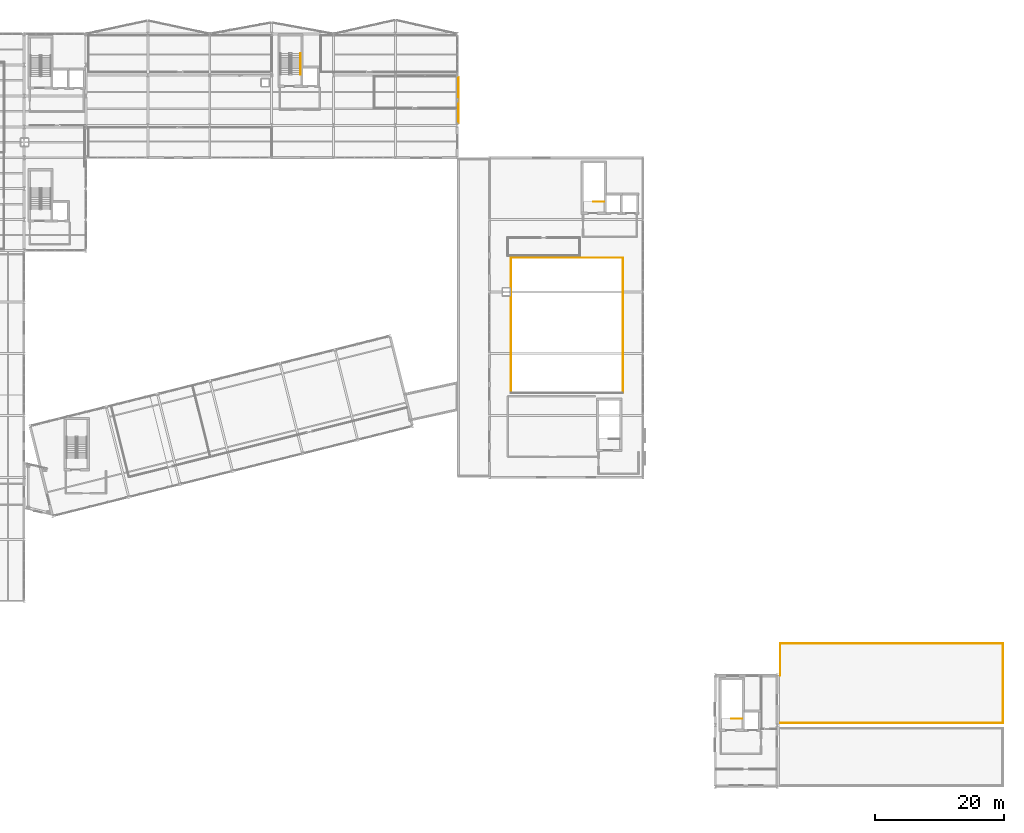
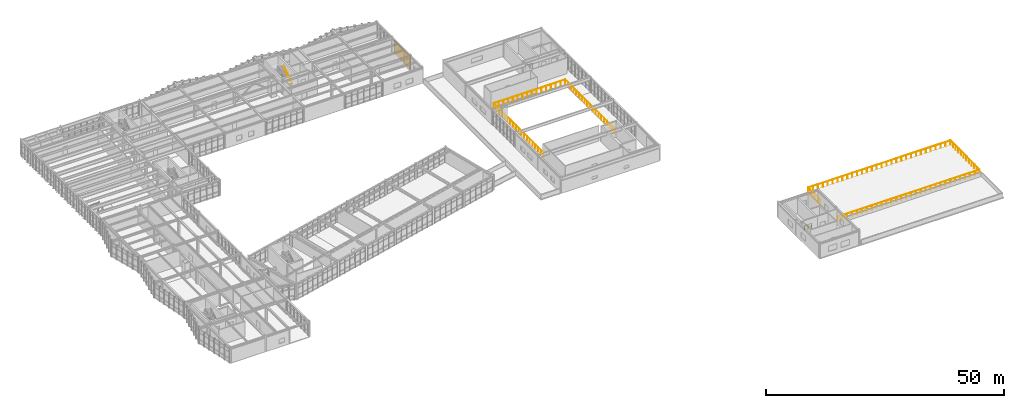
# One storey, part 76 of 76: 10 railings, 1 covering.
"""IFC4 building model written with IfcOpenShell, lengths in metres."""

from ifc_helpers import new_model, si_unit, direction, frame, origin, origin_2d, place, context, subcontext, project, spatial, rectangle, circle, extrude, material, layer, layer_set, type_object, element, save


model = new_model("IFC4")

# Units and contexts
model_context = context("Model", 3, precision=1e-05, world=origin(), true_north=direction((0.0, 1.0)))
body_context = subcontext(model_context, "Body", "Model", "MODEL_VIEW")
ifc_project = project(units=[si_unit("LENGTHUNIT", "METRE"), si_unit("AREAUNIT", "SQUARE_METRE"), si_unit("VOLUMEUNIT", "CUBIC_METRE"), si_unit("PLANEANGLEUNIT", "RADIAN"), si_unit("MASSUNIT", "GRAM", prefix="KILO")], contexts=[model_context])

# Site, building, storey
site_placement = place(None, origin())
site = spatial("IfcSite", under=ifc_project, at=site_placement, CompositionType="ELEMENT")
building_placement = place(site_placement, origin())
building = spatial("IfcBuilding", under=site, at=building_placement, Name="Nordkorset Police Headquarters", CompositionType="ELEMENT")
storey_placement = place(building_placement, frame((0.0, 0.0, 13.64990234375)))
storey = spatial("IfcBuildingStorey", under=building, at=storey_placement, Name="L03", CompositionType="ELEMENT", Elevation=13.64990234375)

# Covering
ifc_material_1 = material(Name="Nordic granite cladding", Category="masonry")
ifc_layer_1 = layer(ifc_material_1, 0.050048828125, Name="Nordic granite cladding")
ifc_layer_set_1 = layer_set([ifc_layer_1], Name="Nordic granite cladding")
covering_type = type_object("IfcCoveringType", Name="Cladding_Nordic_Granite", PredefinedType="CLADDING", material=ifc_layer_set_1)
covering_placement = place(storey_placement, frame((86.60498046875, 106.5, 0.074951171875), z_axis=(0.0, 0.0, 1.0), x_axis=(0.0, 1.0, 0.0)))
element("IfcCovering", 1, at=covering_placement, inside=storey, type_object=covering_type, Name="Nordic Granite Rainscreen Cladding L03 V2E-0B", PredefinedType="CLADDING", context=body_context, shape_type="SweptSolid", body=[
    extrude(rectangle(XDim=7.14599609375, YDim=0.050048828125, at=origin_2d()), origin(), (0.0, 0.0, 1.0), 3.3701171875),
])

# Railings
ifc_material_2 = material(Name="Steel S355J2", Category="steel")
ifc_layer_2 = layer(ifc_material_2, 0.06005859375, Name="Steel S355J2")
ifc_layer_set_2 = layer_set([ifc_layer_2], Name="Steel S355J2")
railing_type_1 = type_object("IfcRailingType", Name="Guardrail_Terrace_1200", PredefinedType="GUARDRAIL", material=ifc_layer_set_2)
railing_1_placement = place(storey_placement, frame((136.5, 9.89990234375, 0.0)))
element("IfcRailing", 2, at=railing_1_placement, inside=storey, type_object=railing_type_1, Name="Terrace Perimeter Guardrail TER-V6-L03-1", PredefinedType="GUARDRAIL", context=body_context, shape_type="SweptSolid", body=[
    extrude(circle(Radius=0.02392578125, at=origin_2d()), frame((0.0, 0.0, 1.17578125), z_axis=(1.0, 0.0, 0.0), x_axis=(0.0, 1.0, 0.0)), (0.0, 0.0, 1.0), 34.550048828125),
    extrude(circle(Radius=0.02099609375, at=origin_2d()), origin(), (0.0, 0.0, 1.0), 1.15185546875),
    extrude(circle(Radius=0.02099609375, at=origin_2d()), frame((1.19140625, 0.0, 0.0)), (0.0, 0.0, 1.0), 1.15185546875),
    extrude(circle(Radius=0.02099609375, at=origin_2d()), frame((2.3828125, 0.0, 0.0)), (0.0, 0.0, 1.0), 1.15185546875),
    extrude(circle(Radius=0.02099609375, at=origin_2d()), frame((3.57421875, 0.0, 0.0)), (0.0, 0.0, 1.0), 1.15185546875),
    extrude(circle(Radius=0.02099609375, at=origin_2d()), frame((4.765625, 0.0, 0.0)), (0.0, 0.0, 1.0), 1.15185546875),
    extrude(circle(Radius=0.02099609375, at=origin_2d()), frame((5.956787109375, 0.0, 0.0)), (0.0, 0.0, 1.0), 1.15185546875),
    extrude(circle(Radius=0.02099609375, at=origin_2d()), frame((7.148193359375, 0.0, 0.0)), (0.0, 0.0, 1.0), 1.15185546875),
    extrude(circle(Radius=0.02099609375, at=origin_2d()), frame((8.339599609375, 0.0, 0.0)), (0.0, 0.0, 1.0), 1.15185546875),
    extrude(circle(Radius=0.02099609375, at=origin_2d()), frame((9.531005859375, 0.0, 0.0)), (0.0, 0.0, 1.0), 1.15185546875),
    extrude(circle(Radius=0.02099609375, at=origin_2d()), frame((10.722412109375, 0.0, 0.0)), (0.0, 0.0, 1.0), 1.15185546875),
    extrude(circle(Radius=0.02099609375, at=origin_2d()), frame((11.913818359375, 0.0, 0.0)), (0.0, 0.0, 1.0), 1.15185546875),
    extrude(circle(Radius=0.02099609375, at=origin_2d()), frame((13.105224609375, 0.0, 0.0)), (0.0, 0.0, 1.0), 1.15185546875),
    extrude(circle(Radius=0.02099609375, at=origin_2d()), frame((14.296630859375, 0.0, 0.0)), (0.0, 0.0, 1.0), 1.15185546875),
    extrude(circle(Radius=0.02099609375, at=origin_2d()), frame((15.488037109375, 0.0, 0.0)), (0.0, 0.0, 1.0), 1.15185546875),
    extrude(circle(Radius=0.02099609375, at=origin_2d()), frame((16.679443359375, 0.0, 0.0)), (0.0, 0.0, 1.0), 1.15185546875),
    extrude(circle(Radius=0.02099609375, at=origin_2d()), frame((17.87060546875, 0.0, 0.0)), (0.0, 0.0, 1.0), 1.15185546875),
    extrude(circle(Radius=0.02099609375, at=origin_2d()), frame((19.06201171875, 0.0, 0.0)), (0.0, 0.0, 1.0), 1.15185546875),
    extrude(circle(Radius=0.02099609375, at=origin_2d()), frame((20.25341796875, 0.0, 0.0)), (0.0, 0.0, 1.0), 1.15185546875),
    extrude(circle(Radius=0.02099609375, at=origin_2d()), frame((21.44482421875, 0.0, 0.0)), (0.0, 0.0, 1.0), 1.15185546875),
    extrude(circle(Radius=0.02099609375, at=origin_2d()), frame((22.63623046875, 0.0, 0.0)), (0.0, 0.0, 1.0), 1.15185546875),
    extrude(circle(Radius=0.02099609375, at=origin_2d()), frame((23.82763671875, 0.0, 0.0)), (0.0, 0.0, 1.0), 1.15185546875),
    extrude(circle(Radius=0.02099609375, at=origin_2d()), frame((25.01904296875, 0.0, 0.0)), (0.0, 0.0, 1.0), 1.15185546875),
    extrude(circle(Radius=0.02099609375, at=origin_2d()), frame((26.21044921875, 0.0, 0.0)), (0.0, 0.0, 1.0), 1.15185546875),
    extrude(circle(Radius=0.02099609375, at=origin_2d()), frame((27.40185546875, 0.0, 0.0)), (0.0, 0.0, 1.0), 1.15185546875),
    extrude(circle(Radius=0.02099609375, at=origin_2d()), frame((28.59326171875, 0.0, 0.0)), (0.0, 0.0, 1.0), 1.15185546875),
    extrude(circle(Radius=0.02099609375, at=origin_2d()), frame((29.784423828125, 0.0, 0.0)), (0.0, 0.0, 1.0), 1.15185546875),
    extrude(circle(Radius=0.02099609375, at=origin_2d()), frame((30.975830078125, 0.0, 0.0)), (0.0, 0.0, 1.0), 1.15185546875),
    extrude(circle(Radius=0.02099609375, at=origin_2d()), frame((32.167236328125, 0.0, 0.0)), (0.0, 0.0, 1.0), 1.15185546875),
    extrude(circle(Radius=0.02099609375, at=origin_2d()), frame((33.358642578125, 0.0, 0.0)), (0.0, 0.0, 1.0), 1.15185546875),
    extrude(circle(Radius=0.02099609375, at=origin_2d()), frame((34.550048828125, 0.0, 0.0)), (0.0, 0.0, 1.0), 1.15185546875),
])
railing_2_placement = place(storey_placement, frame((171.050048828125, 9.89990234375, 0.0)))
element("IfcRailing", 3, at=railing_2_placement, inside=storey, type_object=railing_type_1, Name="Terrace Perimeter Guardrail TER-V6-L03-2", PredefinedType="GUARDRAIL", context=body_context, shape_type="SweptSolid", body=[
    extrude(circle(Radius=0.02392578125, at=origin_2d()), frame((0.0, 0.0, 1.17578125), z_axis=(0.0, 1.0, 0.0), x_axis=(-1.0, 0.0, 0.0)), (0.0, 0.0, 1.0), 12.35009765625),
    extrude(circle(Radius=0.02099609375, at=origin_2d()), origin(), (0.0, 0.0, 1.0), 1.15185546875),
    extrude(circle(Radius=0.02099609375, at=origin_2d()), frame((0.0, 1.122802734375, 0.0)), (0.0, 0.0, 1.0), 1.15185546875),
    extrude(circle(Radius=0.02099609375, at=origin_2d()), frame((0.0, 2.245361328125, 0.0)), (0.0, 0.0, 1.0), 1.15185546875),
    extrude(circle(Radius=0.02099609375, at=origin_2d()), frame((0.0, 3.3681640625, 0.0)), (0.0, 0.0, 1.0), 1.15185546875),
    extrude(circle(Radius=0.02099609375, at=origin_2d()), frame((0.0, 4.490966796875, 0.0)), (0.0, 0.0, 1.0), 1.15185546875),
    extrude(circle(Radius=0.02099609375, at=origin_2d()), frame((0.0, 5.61376953125, 0.0)), (0.0, 0.0, 1.0), 1.15185546875),
    extrude(circle(Radius=0.02099609375, at=origin_2d()), frame((0.0, 6.736328125, 0.0)), (0.0, 0.0, 1.0), 1.15185546875),
    extrude(circle(Radius=0.02099609375, at=origin_2d()), frame((0.0, 7.859130859375, 0.0)), (0.0, 0.0, 1.0), 1.15185546875),
    extrude(circle(Radius=0.02099609375, at=origin_2d()), frame((0.0, 8.98193359375, 0.0)), (0.0, 0.0, 1.0), 1.15185546875),
    extrude(circle(Radius=0.02099609375, at=origin_2d()), frame((0.0, 10.104736328125, 0.0)), (0.0, 0.0, 1.0), 1.15185546875),
    extrude(circle(Radius=0.02099609375, at=origin_2d()), frame((0.0, 11.227294921875, 0.0)), (0.0, 0.0, 1.0), 1.15185546875),
    extrude(circle(Radius=0.02099609375, at=origin_2d()), frame((0.0, 12.35009765625, 0.0)), (0.0, 0.0, 1.0), 1.15185546875),
])
railing_3_placement = place(storey_placement, frame((171.050048828125, 22.25, 0.0)))
element("IfcRailing", 4, at=railing_3_placement, inside=storey, type_object=railing_type_1, Name="Terrace Perimeter Guardrail TER-V6-L03-3", PredefinedType="GUARDRAIL", context=body_context, shape_type="SweptSolid", body=[
    extrude(circle(Radius=0.02392578125, at=origin_2d()), frame((0.0, 0.0, 1.17578125), z_axis=(-1.0, 0.0, 0.0), x_axis=(0.0, -1.0, 0.0)), (0.0, 0.0, 1.0), 34.550048828125),
    extrude(circle(Radius=0.02099609375, at=origin_2d()), origin(), (0.0, 0.0, 1.0), 1.15185546875),
    extrude(circle(Radius=0.02099609375, at=origin_2d()), frame((-1.19140625, 0.0, 0.0)), (0.0, 0.0, 1.0), 1.15185546875),
    extrude(circle(Radius=0.02099609375, at=origin_2d()), frame((-2.3828125, 0.0, 0.0)), (0.0, 0.0, 1.0), 1.15185546875),
    extrude(circle(Radius=0.02099609375, at=origin_2d()), frame((-3.57421875, 0.0, 0.0)), (0.0, 0.0, 1.0), 1.15185546875),
    extrude(circle(Radius=0.02099609375, at=origin_2d()), frame((-4.765625, 0.0, 0.0)), (0.0, 0.0, 1.0), 1.15185546875),
    extrude(circle(Radius=0.02099609375, at=origin_2d()), frame((-5.956787109375, 0.0, 0.0)), (0.0, 0.0, 1.0), 1.15185546875),
    extrude(circle(Radius=0.02099609375, at=origin_2d()), frame((-7.148193359375, 0.0, 0.0)), (0.0, 0.0, 1.0), 1.15185546875),
    extrude(circle(Radius=0.02099609375, at=origin_2d()), frame((-8.339599609375, 0.0, 0.0)), (0.0, 0.0, 1.0), 1.15185546875),
    extrude(circle(Radius=0.02099609375, at=origin_2d()), frame((-9.531005859375, 0.0, 0.0)), (0.0, 0.0, 1.0), 1.15185546875),
    extrude(circle(Radius=0.02099609375, at=origin_2d()), frame((-10.722412109375, 0.0, 0.0)), (0.0, 0.0, 1.0), 1.15185546875),
    extrude(circle(Radius=0.02099609375, at=origin_2d()), frame((-11.913818359375, 0.0, 0.0)), (0.0, 0.0, 1.0), 1.15185546875),
    extrude(circle(Radius=0.02099609375, at=origin_2d()), frame((-13.105224609375, 0.0, 0.0)), (0.0, 0.0, 1.0), 1.15185546875),
    extrude(circle(Radius=0.02099609375, at=origin_2d()), frame((-14.296630859375, 0.0, 0.0)), (0.0, 0.0, 1.0), 1.15185546875),
    extrude(circle(Radius=0.02099609375, at=origin_2d()), frame((-15.488037109375, 0.0, 0.0)), (0.0, 0.0, 1.0), 1.15185546875),
    extrude(circle(Radius=0.02099609375, at=origin_2d()), frame((-16.679443359375, 0.0, 0.0)), (0.0, 0.0, 1.0), 1.15185546875),
    extrude(circle(Radius=0.02099609375, at=origin_2d()), frame((-17.87060546875, 0.0, 0.0)), (0.0, 0.0, 1.0), 1.15185546875),
    extrude(circle(Radius=0.02099609375, at=origin_2d()), frame((-19.06201171875, 0.0, 0.0)), (0.0, 0.0, 1.0), 1.15185546875),
    extrude(circle(Radius=0.02099609375, at=origin_2d()), frame((-20.25341796875, 0.0, 0.0)), (0.0, 0.0, 1.0), 1.15185546875),
    extrude(circle(Radius=0.02099609375, at=origin_2d()), frame((-21.44482421875, 0.0, 0.0)), (0.0, 0.0, 1.0), 1.15185546875),
    extrude(circle(Radius=0.02099609375, at=origin_2d()), frame((-22.63623046875, 0.0, 0.0)), (0.0, 0.0, 1.0), 1.15185546875),
    extrude(circle(Radius=0.02099609375, at=origin_2d()), frame((-23.82763671875, 0.0, 0.0)), (0.0, 0.0, 1.0), 1.15185546875),
    extrude(circle(Radius=0.02099609375, at=origin_2d()), frame((-25.01904296875, 0.0, 0.0)), (0.0, 0.0, 1.0), 1.15185546875),
    extrude(circle(Radius=0.02099609375, at=origin_2d()), frame((-26.21044921875, 0.0, 0.0)), (0.0, 0.0, 1.0), 1.15185546875),
    extrude(circle(Radius=0.02099609375, at=origin_2d()), frame((-27.40185546875, 0.0, 0.0)), (0.0, 0.0, 1.0), 1.15185546875),
    extrude(circle(Radius=0.02099609375, at=origin_2d()), frame((-28.59326171875, 0.0, 0.0)), (0.0, 0.0, 1.0), 1.15185546875),
    extrude(circle(Radius=0.02099609375, at=origin_2d()), frame((-29.784423828125, 0.0, 0.0)), (0.0, 0.0, 1.0), 1.15185546875),
    extrude(circle(Radius=0.02099609375, at=origin_2d()), frame((-30.975830078125, 0.0, 0.0)), (0.0, 0.0, 1.0), 1.15185546875),
    extrude(circle(Radius=0.02099609375, at=origin_2d()), frame((-32.167236328125, 0.0, 0.0)), (0.0, 0.0, 1.0), 1.15185546875),
    extrude(circle(Radius=0.02099609375, at=origin_2d()), frame((-33.358642578125, 0.0, 0.0)), (0.0, 0.0, 1.0), 1.15185546875),
    extrude(circle(Radius=0.02099609375, at=origin_2d()), frame((-34.550048828125, 0.0, 0.0)), (0.0, 0.0, 1.0), 1.15185546875),
])
railing_4_placement = place(storey_placement, frame((136.5, 17.25, 0.0)))
element("IfcRailing", 5, at=railing_4_placement, inside=storey, type_object=railing_type_1, Name="Terrace West North-Segment Guardrail", PredefinedType="GUARDRAIL", context=body_context, shape_type="SweptSolid", body=[
    extrude(circle(Radius=0.02392578125, at=origin_2d()), frame((0.0, 0.0, 1.17578125), z_axis=(0.0, 1.0, 0.0), x_axis=(-1.0, 0.0, 0.0)), (0.0, 0.0, 1.0), 5.0),
    extrude(circle(Radius=0.02099609375, at=origin_2d()), origin(), (0.0, 0.0, 1.0), 1.15185546875),
    extrude(circle(Radius=0.02099609375, at=origin_2d()), frame((0.0, 1.0, 0.0)), (0.0, 0.0, 1.0), 1.15185546875),
    extrude(circle(Radius=0.02099609375, at=origin_2d()), frame((0.0, 2.0, 0.0)), (0.0, 0.0, 1.0), 1.15185546875),
    extrude(circle(Radius=0.02099609375, at=origin_2d()), frame((0.0, 3.0, 0.0)), (0.0, 0.0, 1.0), 1.15185546875),
    extrude(circle(Radius=0.02099609375, at=origin_2d()), frame((0.0, 4.0, 0.0)), (0.0, 0.0, 1.0), 1.15185546875),
    extrude(circle(Radius=0.02099609375, at=origin_2d()), frame((0.0, 5.0, 0.0)), (0.0, 0.0, 1.0), 1.15185546875),
])
ifc_material_3 = material(Name="Steel S355J2", Category="steel")
ifc_layer_3 = layer(ifc_material_3, 0.048095703125, Name="Steel S355J2")
ifc_layer_set_3 = layer_set([ifc_layer_3], Name="Steel S355J2")
railing_type_2 = type_object("IfcRailingType", Name="Railing_Handrail_900", PredefinedType="HANDRAIL", material=ifc_layer_set_3)
railing_5_placement = place(storey_placement, frame((62.074951171875, 110.52490234375, 0.175048828125)))
element("IfcRailing", 6, at=railing_5_placement, inside=storey, type_object=railing_type_2, Name="L03 ST-02 stair handrail 1", PredefinedType="HANDRAIL", context=body_context, shape_type="SweptSolid", body=[
    extrude(circle(Radius=0.02392578125, at=origin_2d()), frame((0.0, 0.0, 0.8759765625), z_axis=(0.0, 0.860057060016, 0.510197857224), x_axis=(-1.0, 0.0, 0.0)), (0.0, 0.0, 1.0), 3.773193359375),
    extrude(circle(Radius=0.02099609375, at=origin_2d()), origin(), (0.0, 0.0, 1.0), 0.851806640625),
    extrude(circle(Radius=0.02099609375, at=origin_2d()), frame((0.0, 0.811279296875, 0.481201171875)), (0.0, 0.0, 1.0), 0.851806640625),
    extrude(circle(Radius=0.02099609375, at=origin_2d()), frame((0.0, 1.62255859375, 0.96240234375)), (0.0, 0.0, 1.0), 0.851806640625),
    extrude(circle(Radius=0.02099609375, at=origin_2d()), frame((0.0, 2.433837890625, 1.44384765625)), (0.0, 0.0, 1.0), 0.851806640625),
    extrude(circle(Radius=0.02099609375, at=origin_2d()), frame((0.0, 3.2451171875, 1.925048828125)), (0.0, 0.0, 1.0), 0.851806640625),
])
ifc_material_4 = material(Name="Steel S355J2", Category="steel")
ifc_layer_4 = layer(ifc_material_4, 0.050048828125, Name="Steel S355J2")
ifc_layer_set_4 = layer_set([ifc_layer_4], Name="Steel S355J2")
railing_type_3 = type_object("IfcRailingType", Name="Railing_StairGuard_1200", PredefinedType="GUARDRAIL", material=ifc_layer_set_4)
for number, where, name in (
    (7, (109.175048828125, 90.77490234375, 0.0), "L03 ST-05 top well guard 1"),
    (8, (130.574951171875, 10.574951171875, 0.0), "L03 ST-06 top well guard 1"),
):
    element("IfcRailing", number, at=place(storey_placement, frame(where)), inside=storey, type_object=railing_type_3, Name=name, PredefinedType="GUARDRAIL", context=body_context, shape_type="SweptSolid", body=[
        extrude(circle(Radius=0.02392578125, at=origin_2d()), frame((0.0, 0.0, 1.17578125), z_axis=(-1.0, 0.0, 0.0), x_axis=(0.0, -1.0, 0.0)), (0.0, 0.0, 1.0), 1.699951171875),
        extrude(circle(Radius=0.02099609375, at=origin_2d()), origin(), (0.0, 0.0, 1.0), 1.15185546875),
        extrude(circle(Radius=0.02099609375, at=origin_2d()), frame((-0.85009765625, 0.0, 0.0)), (0.0, 0.0, 1.0), 1.15185546875),
        extrude(circle(Radius=0.02099609375, at=origin_2d()), frame((-1.699951171875, 0.0, 0.0)), (0.0, 0.0, 1.0), 1.15185546875),
    ])
railing_6_placement = place(storey_placement, frame((112.080078125, 61.1201171875, 0.0)))
element("IfcRailing", 9, at=railing_6_placement, inside=storey, type_object=railing_type_3, Name="Double-Height Void Guardrail L03-2", PredefinedType="GUARDRAIL", context=body_context, shape_type="SweptSolid", body=[
    extrude(circle(Radius=0.02392578125, at=origin_2d()), frame((0.0, 0.0, 1.17578125), z_axis=(0.0, 1.0, 0.0), x_axis=(-1.0, 0.0, 0.0)), (0.0, 0.0, 1.0), 20.9599609375),
    extrude(circle(Radius=0.02099609375, at=origin_2d()), origin(), (0.0, 0.0, 1.0), 1.15185546875),
    extrude(circle(Radius=0.02099609375, at=origin_2d()), frame((0.0, 1.16455078125, 0.0)), (0.0, 0.0, 1.0), 1.15185546875),
    extrude(circle(Radius=0.02099609375, at=origin_2d()), frame((0.0, 2.328857421875, 0.0)), (0.0, 0.0, 1.0), 1.15185546875),
    extrude(circle(Radius=0.02099609375, at=origin_2d()), frame((0.0, 3.493408203125, 0.0)), (0.0, 0.0, 1.0), 1.15185546875),
    extrude(circle(Radius=0.02099609375, at=origin_2d()), frame((0.0, 4.65771484375, 0.0)), (0.0, 0.0, 1.0), 1.15185546875),
    extrude(circle(Radius=0.02099609375, at=origin_2d()), frame((0.0, 5.822265625, 0.0)), (0.0, 0.0, 1.0), 1.15185546875),
    extrude(circle(Radius=0.02099609375, at=origin_2d()), frame((0.0, 6.986572265625, 0.0)), (0.0, 0.0, 1.0), 1.15185546875),
    extrude(circle(Radius=0.02099609375, at=origin_2d()), frame((0.0, 8.151123046875, 0.0)), (0.0, 0.0, 1.0), 1.15185546875),
    extrude(circle(Radius=0.02099609375, at=origin_2d()), frame((0.0, 9.3154296875, 0.0)), (0.0, 0.0, 1.0), 1.15185546875),
    extrude(circle(Radius=0.02099609375, at=origin_2d()), frame((0.0, 10.47998046875, 0.0)), (0.0, 0.0, 1.0), 1.15185546875),
    extrude(circle(Radius=0.02099609375, at=origin_2d()), frame((0.0, 11.64453125, 0.0)), (0.0, 0.0, 1.0), 1.15185546875),
    extrude(circle(Radius=0.02099609375, at=origin_2d()), frame((0.0, 12.808837890625, 0.0)), (0.0, 0.0, 1.0), 1.15185546875),
    extrude(circle(Radius=0.02099609375, at=origin_2d()), frame((0.0, 13.973388671875, 0.0)), (0.0, 0.0, 1.0), 1.15185546875),
    extrude(circle(Radius=0.02099609375, at=origin_2d()), frame((0.0, 15.1376953125, 0.0)), (0.0, 0.0, 1.0), 1.15185546875),
    extrude(circle(Radius=0.02099609375, at=origin_2d()), frame((0.0, 16.30224609375, 0.0)), (0.0, 0.0, 1.0), 1.15185546875),
    extrude(circle(Radius=0.02099609375, at=origin_2d()), frame((0.0, 17.466552734375, 0.0)), (0.0, 0.0, 1.0), 1.15185546875),
    extrude(circle(Radius=0.02099609375, at=origin_2d()), frame((0.0, 18.631103515625, 0.0)), (0.0, 0.0, 1.0), 1.15185546875),
    extrude(circle(Radius=0.02099609375, at=origin_2d()), frame((0.0, 19.79541015625, 0.0)), (0.0, 0.0, 1.0), 1.15185546875),
    extrude(circle(Radius=0.02099609375, at=origin_2d()), frame((0.0, 20.9599609375, 0.0)), (0.0, 0.0, 1.0), 1.15185546875),
])
railing_7_placement = place(storey_placement, frame((112.080078125, 82.080078125, 0.0)))
element("IfcRailing", 10, at=railing_7_placement, inside=storey, type_object=railing_type_3, Name="Double-Height Void Guardrail L03-3", PredefinedType="GUARDRAIL", context=body_context, shape_type="SweptSolid", body=[
    extrude(circle(Radius=0.02392578125, at=origin_2d()), frame((0.0, 0.0, 1.17578125), z_axis=(-1.0, 0.0, 0.0), x_axis=(0.0, -1.0, 0.0)), (0.0, 0.0, 1.0), 17.360107421875),
    extrude(circle(Radius=0.02099609375, at=origin_2d()), origin(), (0.0, 0.0, 1.0), 1.15185546875),
    extrude(circle(Radius=0.02099609375, at=origin_2d()), frame((-1.1572265625, 0.0, 0.0)), (0.0, 0.0, 1.0), 1.15185546875),
    extrude(circle(Radius=0.02099609375, at=origin_2d()), frame((-2.314697265625, 0.0, 0.0)), (0.0, 0.0, 1.0), 1.15185546875),
    extrude(circle(Radius=0.02099609375, at=origin_2d()), frame((-3.471923828125, 0.0, 0.0)), (0.0, 0.0, 1.0), 1.15185546875),
    extrude(circle(Radius=0.02099609375, at=origin_2d()), frame((-4.62939453125, 0.0, 0.0)), (0.0, 0.0, 1.0), 1.15185546875),
    extrude(circle(Radius=0.02099609375, at=origin_2d()), frame((-5.78662109375, 0.0, 0.0)), (0.0, 0.0, 1.0), 1.15185546875),
    extrude(circle(Radius=0.02099609375, at=origin_2d()), frame((-6.944091796875, 0.0, 0.0)), (0.0, 0.0, 1.0), 1.15185546875),
    extrude(circle(Radius=0.02099609375, at=origin_2d()), frame((-8.101318359375, 0.0, 0.0)), (0.0, 0.0, 1.0), 1.15185546875),
    extrude(circle(Radius=0.02099609375, at=origin_2d()), frame((-9.2587890625, 0.0, 0.0)), (0.0, 0.0, 1.0), 1.15185546875),
    extrude(circle(Radius=0.02099609375, at=origin_2d()), frame((-10.416015625, 0.0, 0.0)), (0.0, 0.0, 1.0), 1.15185546875),
    extrude(circle(Radius=0.02099609375, at=origin_2d()), frame((-11.573486328125, 0.0, 0.0)), (0.0, 0.0, 1.0), 1.15185546875),
    extrude(circle(Radius=0.02099609375, at=origin_2d()), frame((-12.730712890625, 0.0, 0.0)), (0.0, 0.0, 1.0), 1.15185546875),
    extrude(circle(Radius=0.02099609375, at=origin_2d()), frame((-13.88818359375, 0.0, 0.0)), (0.0, 0.0, 1.0), 1.15185546875),
    extrude(circle(Radius=0.02099609375, at=origin_2d()), frame((-15.04541015625, 0.0, 0.0)), (0.0, 0.0, 1.0), 1.15185546875),
    extrude(circle(Radius=0.02099609375, at=origin_2d()), frame((-16.202880859375, 0.0, 0.0)), (0.0, 0.0, 1.0), 1.15185546875),
    extrude(circle(Radius=0.02099609375, at=origin_2d()), frame((-17.360107421875, 0.0, 0.0)), (0.0, 0.0, 1.0), 1.15185546875),
])
railing_8_placement = place(storey_placement, frame((94.719970703125, 82.080078125, 0.0)))
element("IfcRailing", 11, at=railing_8_placement, inside=storey, type_object=railing_type_3, Name="Double-Height Void Guardrail L03-4", PredefinedType="GUARDRAIL", context=body_context, shape_type="SweptSolid", body=[
    extrude(circle(Radius=0.02392578125, at=origin_2d()), frame((0.0, 0.0, 1.17578125), z_axis=(0.0, -1.0, 0.0), x_axis=(1.0, 0.0, 0.0)), (0.0, 0.0, 1.0), 20.9599609375),
    extrude(circle(Radius=0.02099609375, at=origin_2d()), origin(), (0.0, 0.0, 1.0), 1.15185546875),
    extrude(circle(Radius=0.02099609375, at=origin_2d()), frame((0.0, -1.16455078125, 0.0)), (0.0, 0.0, 1.0), 1.15185546875),
    extrude(circle(Radius=0.02099609375, at=origin_2d()), frame((0.0, -2.328857421875, 0.0)), (0.0, 0.0, 1.0), 1.15185546875),
    extrude(circle(Radius=0.02099609375, at=origin_2d()), frame((0.0, -3.493408203125, 0.0)), (0.0, 0.0, 1.0), 1.15185546875),
    extrude(circle(Radius=0.02099609375, at=origin_2d()), frame((0.0, -4.65771484375, 0.0)), (0.0, 0.0, 1.0), 1.15185546875),
    extrude(circle(Radius=0.02099609375, at=origin_2d()), frame((0.0, -5.822265625, 0.0)), (0.0, 0.0, 1.0), 1.15185546875),
    extrude(circle(Radius=0.02099609375, at=origin_2d()), frame((0.0, -6.986572265625, 0.0)), (0.0, 0.0, 1.0), 1.15185546875),
    extrude(circle(Radius=0.02099609375, at=origin_2d()), frame((0.0, -8.151123046875, 0.0)), (0.0, 0.0, 1.0), 1.15185546875),
    extrude(circle(Radius=0.02099609375, at=origin_2d()), frame((0.0, -9.3154296875, 0.0)), (0.0, 0.0, 1.0), 1.15185546875),
    extrude(circle(Radius=0.02099609375, at=origin_2d()), frame((0.0, -10.47998046875, 0.0)), (0.0, 0.0, 1.0), 1.15185546875),
    extrude(circle(Radius=0.02099609375, at=origin_2d()), frame((0.0, -11.64453125, 0.0)), (0.0, 0.0, 1.0), 1.15185546875),
    extrude(circle(Radius=0.02099609375, at=origin_2d()), frame((0.0, -12.808837890625, 0.0)), (0.0, 0.0, 1.0), 1.15185546875),
    extrude(circle(Radius=0.02099609375, at=origin_2d()), frame((0.0, -13.973388671875, 0.0)), (0.0, 0.0, 1.0), 1.15185546875),
    extrude(circle(Radius=0.02099609375, at=origin_2d()), frame((0.0, -15.1376953125, 0.0)), (0.0, 0.0, 1.0), 1.15185546875),
    extrude(circle(Radius=0.02099609375, at=origin_2d()), frame((0.0, -16.30224609375, 0.0)), (0.0, 0.0, 1.0), 1.15185546875),
    extrude(circle(Radius=0.02099609375, at=origin_2d()), frame((0.0, -17.466552734375, 0.0)), (0.0, 0.0, 1.0), 1.15185546875),
    extrude(circle(Radius=0.02099609375, at=origin_2d()), frame((0.0, -18.631103515625, 0.0)), (0.0, 0.0, 1.0), 1.15185546875),
    extrude(circle(Radius=0.02099609375, at=origin_2d()), frame((0.0, -19.79541015625, 0.0)), (0.0, 0.0, 1.0), 1.15185546875),
    extrude(circle(Radius=0.02099609375, at=origin_2d()), frame((0.0, -20.9599609375, 0.0)), (0.0, 0.0, 1.0), 1.15185546875),
])

save(model, "model.ifc")
